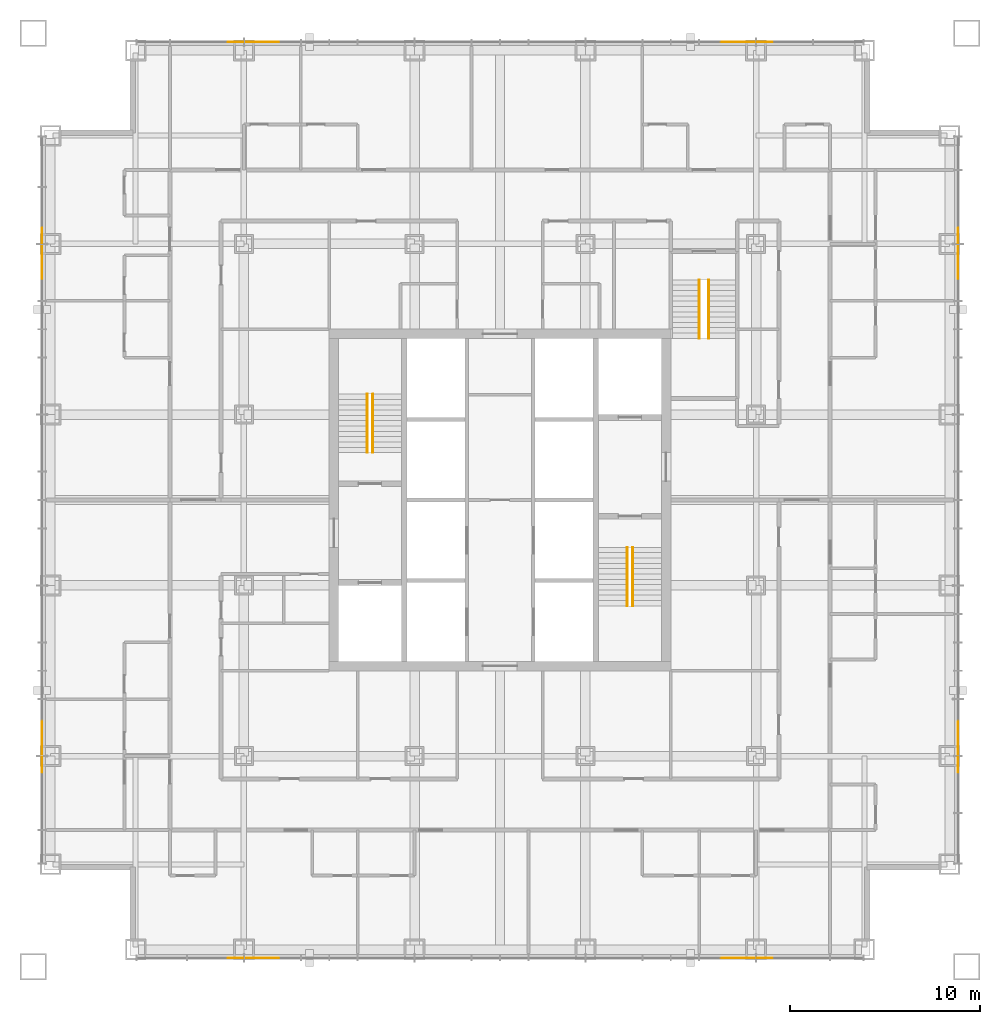
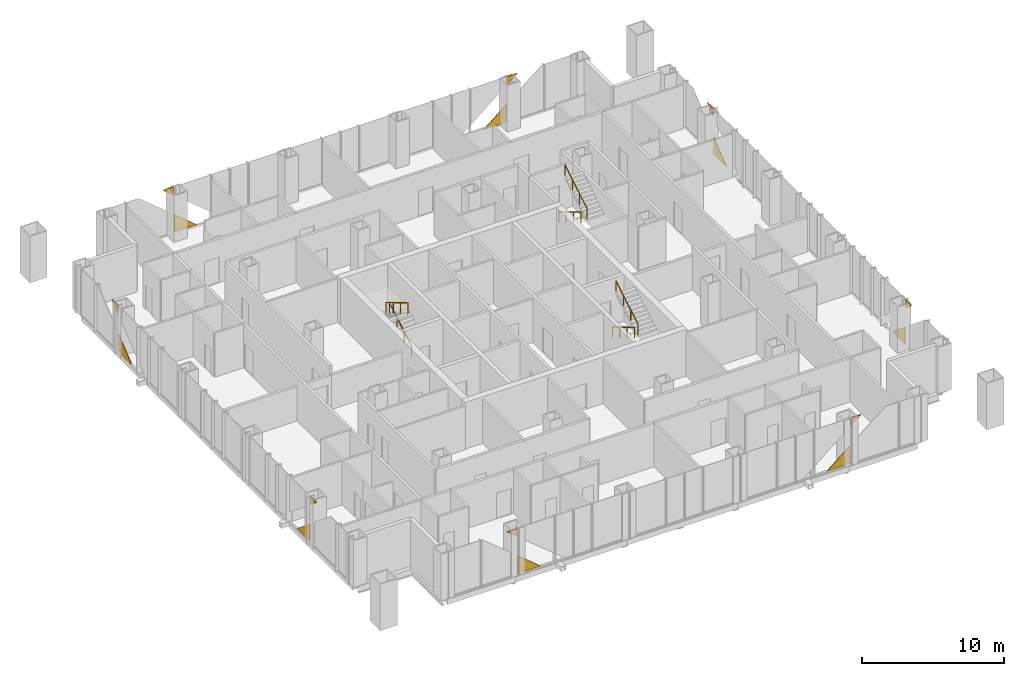
# One storey, part 14 of 14: 16 coverings, 6 railings.
"""IFC4 building model written with IfcOpenShell, lengths in metres."""

import ifcopenshell
import ifcopenshell.guid

model = None  # the IFC model being written
_history = None  # IfcOwnerHistory: only IFC2X3 demands one
_inside = {}  # id of a spatial element -> (the spatial element, [elements in it])
_under = {}  # id of a project, library or spatial element -> (it, [spatial elements below it])
_declared = {}  # id of a project -> (the project, [libraries it declares])
_typed = {}  # id of a type object -> (the type object, [elements of that type])
_made_of = {}  # id of a material, layer set ... -> (it, [elements and type objects made of it])


def new_model(schema):
    """Start an empty IFC model of exactly this schema.

    Asked for "IFC4X3", IfcOpenShell would pick the latest addendum, in which some entities
    have other attributes; the version numbers below select the first issue.
    IFC2X3 requires an IfcOwnerHistory on every rooted entity: one is made here for all.
    """
    global model, _history
    if schema == "IFC4X3":
        model = ifcopenshell.file(schema_version=(4, 3, 0, 0))
    else:
        model = ifcopenshell.file(schema=schema)
    _inside.clear()
    _under.clear()
    _declared.clear()
    _typed.clear()
    _made_of.clear()
    _history = None
    if model.schema == "IFC2X3":
        org = make("IfcOrganization", Name="unknown")
        user = make(
            "IfcPersonAndOrganization",
            ThePerson=make("IfcPerson", FamilyName="unknown"),
            TheOrganization=org,
        )
        app = make(
            "IfcApplication",
            ApplicationDeveloper=org,
            Version="unknown",
            ApplicationFullName="unknown",
            ApplicationIdentifier="unknown",
        )
        _history = make(
            "IfcOwnerHistory",
            OwningUser=user,
            OwningApplication=app,
            ChangeAction="ADDED",
            CreationDate=0,
        )
    return model


def make(cls, **values):
    """One entity of the class cls with the attributes given. An attribute that is None is left unset."""
    return model.create_entity(
        cls, **{name: value for name, value in values.items() if value is not None}
    )


def rooted(cls, **values):
    """An entity with a GlobalId (a new one), such as an element, a storey or a relation."""
    return make(cls, GlobalId=ifcopenshell.guid.new(), OwnerHistory=_history, **values)


def si_unit(unit_type, name, prefix=None):
    """IfcSIUnit, for example si_unit("LENGTHUNIT", "METRE", prefix="MILLI")."""
    return make("IfcSIUnit", UnitType=unit_type, Prefix=prefix, Name=name)


def assignment(units):
    """IfcUnitAssignment: the units of a project."""
    return None if units is None else make("IfcUnitAssignment", Units=units)


def point(xyz):
    """IfcCartesianPoint."""
    return None if xyz is None else make("IfcCartesianPoint", Coordinates=xyz)


def direction(xyz):
    """IfcDirection."""
    return None if xyz is None else make("IfcDirection", DirectionRatios=xyz)


def frame(location, z_axis=None, x_axis=None):
    """IfcAxis2Placement3D, a coordinate frame: its origin and axes. An axis left out is left unset."""
    return make(
        "IfcAxis2Placement3D",
        Location=point(location),
        Axis=direction(z_axis),
        RefDirection=direction(x_axis),
    )


def frame_2d(location, x_axis=None):
    """IfcAxis2Placement2D, a coordinate frame in the plane: its origin and x axis."""
    return make(
        "IfcAxis2Placement2D", Location=point(location), RefDirection=direction(x_axis)
    )


def origin():
    """The frame at (0, 0, 0) with its axes left unset."""
    return frame((0.0, 0.0, 0.0))


def origin_2d():
    """The frame at (0, 0) in the plane with its x axis left unset."""
    return frame_2d((0.0, 0.0))


def place(relative_to, where):
    """IfcLocalPlacement: puts the frame where relative to a parent placement (None: the world)."""
    return make(
        "IfcLocalPlacement", PlacementRelTo=relative_to, RelativePlacement=where
    )


def context(
    kind, dimensions, precision=None, world=None, true_north=None, identifier=None
):
    """IfcGeometricRepresentationContext, for example the 3D "Model" context."""
    return make(
        "IfcGeometricRepresentationContext",
        ContextIdentifier=identifier,
        ContextType=kind,
        CoordinateSpaceDimension=dimensions,
        Precision=precision,
        WorldCoordinateSystem=world,
        TrueNorth=true_north,
    )


def subcontext(parent, identifier, kind, view, scale=None):
    """IfcGeometricRepresentationSubContext, for example "Body" below "Model"."""
    return make(
        "IfcGeometricRepresentationSubContext",
        ContextIdentifier=identifier,
        ContextType=kind,
        ParentContext=parent,
        TargetScale=scale,
        TargetView=view,
    )


def project(units=None, contexts=None):
    """IfcProject with its units and contexts."""
    return rooted(
        "IfcProject",
        Name="project",
        RepresentationContexts=contexts,
        UnitsInContext=assignment(units),
    )


def spatial(cls, under=None, at=None, **own):
    """A site, building, storey or space (cls), placed at a placement, below another one or the project."""
    s = rooted(cls, ObjectPlacement=at, **own)
    if under is not None:
        _under.setdefault(under.id(), (under, []))[1].append(s)
    return s


def polyline(points):
    """IfcPolyline through the points."""
    return make("IfcPolyline", Points=[point(p) for p in points])


def profile(cls, at=None, kind="AREA", **sizes):
    """A parametric profile (cls). Its sizes go by their IFC names, for example OverallWidth=200.0."""
    return make(cls, ProfileType=kind, Position=at, **sizes)


def circle(**sizes):
    """IfcCircleProfileDef."""
    return profile("IfcCircleProfileDef", **sizes)


def outline(outer, holes=None, kind="AREA"):
    """IfcArbitraryClosedProfileDef: a profile drawn as a closed curve; with holes, ...WithVoids."""
    if holes is None:
        return make("IfcArbitraryClosedProfileDef", ProfileType=kind, OuterCurve=outer)
    return make(
        "IfcArbitraryProfileDefWithVoids",
        ProfileType=kind,
        OuterCurve=outer,
        InnerCurves=holes,
    )


def extrude(swept, where, along, depth):
    """IfcExtrudedAreaSolid: the profile swept, set in the frame where, extruded along a direction by depth."""
    return make(
        "IfcExtrudedAreaSolid",
        SweptArea=swept,
        Position=where,
        ExtrudedDirection=direction(along),
        Depth=depth,
    )


def shape(context_of_items, identifier, shape_type, items):
    """IfcShapeRepresentation: the items that make up one representation, for example the "Body"."""
    return make(
        "IfcShapeRepresentation",
        ContextOfItems=context_of_items,
        RepresentationIdentifier=identifier,
        RepresentationType=shape_type,
        Items=items,
    )


def material(Name=None, Category=None):
    """IfcMaterial."""
    return make("IfcMaterial", Name=Name, Category=Category)


def layer(
    of_material, thickness, ventilated=None, Name=None, Category=None, Priority=None
):
    """IfcMaterialLayer: one layer of a wall or slab, of a material (None: an air gap)."""
    return make(
        "IfcMaterialLayer",
        Material=of_material,
        LayerThickness=thickness,
        IsVentilated=ventilated,
        Name=Name,
        Category=Category,
        Priority=Priority,
    )


def layer_set(layers, Name=None):
    """IfcMaterialLayerSet."""
    return make("IfcMaterialLayerSet", MaterialLayers=layers, LayerSetName=Name)


def made_of(thing, what):
    """Note that an element or type object is made of a material, layer set ...; save() writes the relation."""
    if what is not None:
        _made_of.setdefault(what.id(), (what, []))[1].append(thing)
    return thing


def type_object(cls, material=None, **own):
    """A type object (cls), such as IfcWallType, which elements share."""
    return made_of(rooted(cls, **own), material)


def element(
    cls,
    number,
    at=None,
    inside=None,
    cuts=None,
    type_object=None,
    material=None,
    context=None,
    identifier="Body",
    shape_type=None,
    held_by="IfcProductDefinitionShape",
    body=None,
    shapes=None,
    **own,
):
    """One element of the class cls, such as IfcWall. Its Tag is "e" and its number.

    at: its placement. inside: the storey or other place that contains it. cuts: it is an
    opening in that element (IfcRelVoidsElement). A single representation is given by context,
    identifier, shape_type and body (its items); several are given by shapes. held_by: the class
    of the entity that holds the representations. save() writes the other relations.
    """
    e = rooted(cls, Tag="e%d" % number, ObjectPlacement=at, **own)
    if body is not None:
        shapes = [shape(context, identifier, shape_type, body)]
    if shapes is not None:
        e.Representation = make(held_by, Representations=shapes)
    if inside is not None:
        _inside.setdefault(inside.id(), (inside, []))[1].append(e)
    if cuts is not None:
        rooted(
            "IfcRelVoidsElement", RelatingBuildingElement=cuts, RelatedOpeningElement=e
        )
    if type_object is not None:
        _typed.setdefault(type_object.id(), (type_object, []))[1].append(e)
    return made_of(e, material)


def aggregate(whole, parts):
    """IfcRelAggregates: a whole, such as a stair, and the parts it consists of."""
    return rooted("IfcRelAggregates", RelatingObject=whole, RelatedObjects=parts)


def save(model, path):
    """Write the relations noted so far, then the file.

    IfcRelAggregates (storeys below a building ...), IfcRelContainedInSpatialStructure (elements
    in a storey), IfcRelDefinesByType, IfcRelAssociatesMaterial and IfcRelDeclares: one each for
    every whole, place, type object, material and project.
    """
    for whole, parts in _under.values():
        aggregate(whole, parts)
    for where, things in _inside.values():
        rooted(
            "IfcRelContainedInSpatialStructure",
            RelatedElements=things,
            RelatingStructure=where,
        )
    for kind, things in _typed.values():
        rooted("IfcRelDefinesByType", RelatedObjects=things, RelatingType=kind)
    for what, things in _made_of.values():
        rooted("IfcRelAssociatesMaterial", RelatedObjects=things, RelatingMaterial=what)
    for by, libraries in _declared.values():
        rooted("IfcRelDeclares", RelatingContext=by, RelatedDefinitions=libraries)
    model.write(path)


model = new_model("IFC4")

# Units and contexts
model_context = context("Model", 3, precision=1e-05, world=origin(), true_north=direction((0.0, 1.0)))
body_context = subcontext(model_context, "Body", "Model", "MODEL_VIEW")
ifc_project = project(units=[si_unit("LENGTHUNIT", "METRE"), si_unit("AREAUNIT", "SQUARE_METRE"), si_unit("VOLUMEUNIT", "CUBIC_METRE"), si_unit("PLANEANGLEUNIT", "RADIAN"), si_unit("MASSUNIT", "GRAM", prefix="KILO")], contexts=[model_context])

# Site, building, storey
site_placement = place(None, origin())
site = spatial("IfcSite", under=ifc_project, at=site_placement, CompositionType="ELEMENT")
building_placement = place(site_placement, origin())
building = spatial("IfcBuilding", under=site, at=building_placement, Name="Malebo Sky Hospital", CompositionType="ELEMENT")
storey_placement = place(building_placement, frame((0.0, 0.0, 128.0)))
storey = spatial("IfcBuildingStorey", under=building, at=storey_placement, Name="L30", CompositionType="ELEMENT", Elevation=128.0)

# Coverings
ifc_material_1 = material(Name="Anodised aluminium, natural silver insulated infill panel", Category="aluminium")
ifc_layer = layer(ifc_material_1, 0.0400390625)
ifc_layer_set = layer_set([ifc_layer], Name="BRACE INFILL PANEL 40")
covering_type = type_object("IfcCoveringType", Name="BRACE INFILL PANEL 40", PredefinedType="CLADDING", material=ifc_layer_set)
covering_1_placement = place(storey_placement, frame((46.039794921875, 86.135009765625, 3.29296875), z_axis=(0.0, 0.0, 1.0), x_axis=(1.0, 0.0, 0.0)))
element("IfcCovering", 1, at=covering_1_placement, inside=storey, type_object=covering_type, Name="Brace infill panel 2.1", PredefinedType="CLADDING", context=body_context, shape_type="SweptSolid", body=[
    extrude(outline(polyline([(0.4228515625, 0.0), (0.4228515625, 0.697021484375), (-0.4228515625, 0.697021484375), (0.4228515625, 0.0)])), frame((0.0, 0.02001953125, 0.0), z_axis=(0.0, -1.0, 0.0), x_axis=(1.0, 0.0, 0.0)), (0.0, 0.0, 1.0), 0.0400390625),
])
covering_2_placement = place(storey_placement, frame((47.45361328125, 86.135009765625, 0.10009765625), z_axis=(0.0, 0.0, 1.0), x_axis=(1.0, 0.0, 0.0)))
element("IfcCovering", 2, at=covering_2_placement, inside=storey, type_object=covering_type, Name="Brace infill panel 3.1", PredefinedType="CLADDING", context=body_context, shape_type="SweptSolid", body=[
    extrude(outline(polyline([(-0.916015625, 0.0), (0.916015625, 0.0), (-0.916015625, 1.510009765625), (-0.916015625, 0.0)])), frame((0.0, 0.02001953125, 0.0), z_axis=(0.0, -1.0, 0.0), x_axis=(1.0, 0.0, 0.0)), (0.0, 0.0, 1.0), 0.0400390625),
])
covering_3_placement = place(storey_placement, frame((72.54638671875, 86.135009765625, 0.10009765625), z_axis=(0.0, 0.0, 1.0), x_axis=(1.0, 0.0, 0.0)))
element("IfcCovering", 3, at=covering_3_placement, inside=storey, type_object=covering_type, Name="Brace infill panel 14.1", PredefinedType="CLADDING", context=body_context, shape_type="SweptSolid", body=[
    extrude(outline(polyline([(-0.916015625, 0.0), (0.916015625, 0.0), (0.916015625, 1.510009765625), (-0.916015625, 0.0)])), frame((0.0, 0.02001953125, 0.0), z_axis=(0.0, -1.0, 0.0), x_axis=(1.0, 0.0, 0.0)), (0.0, 0.0, 1.0), 0.0400390625),
])
covering_4_placement = place(storey_placement, frame((73.960205078125, 86.135009765625, 3.29296875), z_axis=(0.0, 0.0, 1.0), x_axis=(1.0, 0.0, 0.0)))
element("IfcCovering", 4, at=covering_4_placement, inside=storey, type_object=covering_type, Name="Brace infill panel 15.1", PredefinedType="CLADDING", context=body_context, shape_type="SweptSolid", body=[
    extrude(outline(polyline([(-0.4228515625, 0.0), (0.4228515625, 0.697021484375), (-0.4228515625, 0.697021484375), (-0.4228515625, 0.0)])), frame((0.0, 0.02001953125, 0.0), z_axis=(0.0, -1.0, 0.0), x_axis=(1.0, 0.0, 0.0)), (0.0, 0.0, 1.0), 0.0400390625),
])
covering_5_placement = place(storey_placement, frame((35.864990234375, 48.039794921875, 3.29296875), z_axis=(0.0, 0.0, 1.0), x_axis=(0.0, 1.0, 0.0)))
element("IfcCovering", 5, at=covering_5_placement, inside=storey, type_object=covering_type, Name="Brace infill panel 2.1", PredefinedType="CLADDING", context=body_context, shape_type="SweptSolid", body=[
    extrude(outline(polyline([(0.4228515625, 0.0), (0.4228515625, 0.697021484375), (-0.4228515625, 0.697021484375), (0.4228515625, 0.0)])), frame((0.0, 0.02001953125, 0.0), z_axis=(0.0, -1.0, 0.0), x_axis=(1.0, 0.0, 0.0)), (0.0, 0.0, 1.0), 0.0400390625),
])
covering_6_placement = place(storey_placement, frame((35.864990234375, 49.45361328125, 0.10009765625), z_axis=(0.0, 0.0, 1.0), x_axis=(0.0, 1.0, 0.0)))
element("IfcCovering", 6, at=covering_6_placement, inside=storey, type_object=covering_type, Name="Brace infill panel 3.1", PredefinedType="CLADDING", context=body_context, shape_type="SweptSolid", body=[
    extrude(outline(polyline([(-0.916015625, 0.0), (0.916015625, 0.0), (-0.916015625, 1.510009765625), (-0.916015625, 0.0)])), frame((0.0, 0.02001953125, 0.0), z_axis=(0.0, -1.0, 0.0), x_axis=(1.0, 0.0, 0.0)), (0.0, 0.0, 1.0), 0.0400390625),
])
covering_7_placement = place(storey_placement, frame((35.864990234375, 74.54638671875, 0.10009765625), z_axis=(0.0, 0.0, 1.0), x_axis=(0.0, 1.0, 0.0)))
element("IfcCovering", 7, at=covering_7_placement, inside=storey, type_object=covering_type, Name="Brace infill panel 14.1", PredefinedType="CLADDING", context=body_context, shape_type="SweptSolid", body=[
    extrude(outline(polyline([(-0.916015625, 0.0), (0.916015625, 0.0), (0.916015625, 1.510009765625), (-0.916015625, 0.0)])), frame((0.0, 0.02001953125, 0.0), z_axis=(0.0, -1.0, 0.0), x_axis=(1.0, 0.0, 0.0)), (0.0, 0.0, 1.0), 0.0400390625),
])
covering_8_placement = place(storey_placement, frame((35.864990234375, 75.960205078125, 3.29296875), z_axis=(0.0, 0.0, 1.0), x_axis=(0.0, 1.0, 0.0)))
element("IfcCovering", 8, at=covering_8_placement, inside=storey, type_object=covering_type, Name="Brace infill panel 15.1", PredefinedType="CLADDING", context=body_context, shape_type="SweptSolid", body=[
    extrude(outline(polyline([(-0.4228515625, 0.0), (0.4228515625, 0.697021484375), (-0.4228515625, 0.697021484375), (-0.4228515625, 0.0)])), frame((0.0, 0.02001953125, 0.0), z_axis=(0.0, -1.0, 0.0), x_axis=(1.0, 0.0, 0.0)), (0.0, 0.0, 1.0), 0.0400390625),
])
covering_9_placement = place(storey_placement, frame((73.960205078125, 37.864990234375, 3.29296875), z_axis=(0.0, 0.0, 1.0), x_axis=(-1.0, 0.0, 0.0)))
element("IfcCovering", 9, at=covering_9_placement, inside=storey, type_object=covering_type, Name="Brace infill panel 2.1", PredefinedType="CLADDING", context=body_context, shape_type="SweptSolid", body=[
    extrude(outline(polyline([(0.4228515625, 0.0), (0.4228515625, 0.697021484375), (-0.4228515625, 0.697021484375), (0.4228515625, 0.0)])), frame((0.0, 0.02001953125, 0.0), z_axis=(0.0, -1.0, 0.0), x_axis=(1.0, 0.0, 0.0)), (0.0, 0.0, 1.0), 0.0400390625),
])
covering_10_placement = place(storey_placement, frame((72.54638671875, 37.864990234375, 0.10009765625), z_axis=(0.0, 0.0, 1.0), x_axis=(-1.0, 0.0, 0.0)))
element("IfcCovering", 10, at=covering_10_placement, inside=storey, type_object=covering_type, Name="Brace infill panel 3.1", PredefinedType="CLADDING", context=body_context, shape_type="SweptSolid", body=[
    extrude(outline(polyline([(-0.916015625, 0.0), (0.916015625, 0.0), (-0.916015625, 1.510009765625), (-0.916015625, 0.0)])), frame((0.0, 0.02001953125, 0.0), z_axis=(0.0, -1.0, 0.0), x_axis=(1.0, 0.0, 0.0)), (0.0, 0.0, 1.0), 0.0400390625),
])
covering_11_placement = place(storey_placement, frame((47.45361328125, 37.864990234375, 0.10009765625), z_axis=(0.0, 0.0, 1.0), x_axis=(-1.0, 0.0, 0.0)))
element("IfcCovering", 11, at=covering_11_placement, inside=storey, type_object=covering_type, Name="Brace infill panel 14.1", PredefinedType="CLADDING", context=body_context, shape_type="SweptSolid", body=[
    extrude(outline(polyline([(-0.916015625, 0.0), (0.916015625, 0.0), (0.916015625, 1.510009765625), (-0.916015625, 0.0)])), frame((0.0, 0.02001953125, 0.0), z_axis=(0.0, -1.0, 0.0), x_axis=(1.0, 0.0, 0.0)), (0.0, 0.0, 1.0), 0.0400390625),
])
covering_12_placement = place(storey_placement, frame((46.039794921875, 37.864990234375, 3.29296875), z_axis=(0.0, 0.0, 1.0), x_axis=(-1.0, 0.0, 0.0)))
element("IfcCovering", 12, at=covering_12_placement, inside=storey, type_object=covering_type, Name="Brace infill panel 15.1", PredefinedType="CLADDING", context=body_context, shape_type="SweptSolid", body=[
    extrude(outline(polyline([(-0.4228515625, 0.0), (0.4228515625, 0.697021484375), (-0.4228515625, 0.697021484375), (-0.4228515625, 0.0)])), frame((0.0, 0.02001953125, 0.0), z_axis=(0.0, -1.0, 0.0), x_axis=(1.0, 0.0, 0.0)), (0.0, 0.0, 1.0), 0.0400390625),
])
covering_13_placement = place(storey_placement, frame((84.135009765625, 75.960205078125, 3.29296875), z_axis=(0.0, 0.0, 1.0), x_axis=(0.0, -1.0, 0.0)))
element("IfcCovering", 13, at=covering_13_placement, inside=storey, type_object=covering_type, Name="Brace infill panel 2.1", PredefinedType="CLADDING", context=body_context, shape_type="SweptSolid", body=[
    extrude(outline(polyline([(0.4228515625, 0.0), (0.4228515625, 0.697021484375), (-0.4228515625, 0.697021484375), (0.4228515625, 0.0)])), frame((0.0, 0.02001953125, 0.0), z_axis=(0.0, -1.0, 0.0), x_axis=(1.0, 0.0, 0.0)), (0.0, 0.0, 1.0), 0.0400390625),
])
covering_14_placement = place(storey_placement, frame((84.135009765625, 74.54638671875, 0.10009765625), z_axis=(0.0, 0.0, 1.0), x_axis=(0.0, -1.0, 0.0)))
element("IfcCovering", 14, at=covering_14_placement, inside=storey, type_object=covering_type, Name="Brace infill panel 3.1", PredefinedType="CLADDING", context=body_context, shape_type="SweptSolid", body=[
    extrude(outline(polyline([(-0.916015625, 0.0), (0.916015625, 0.0), (-0.916015625, 1.510009765625), (-0.916015625, 0.0)])), frame((0.0, 0.02001953125, 0.0), z_axis=(0.0, -1.0, 0.0), x_axis=(1.0, 0.0, 0.0)), (0.0, 0.0, 1.0), 0.0400390625),
])
covering_15_placement = place(storey_placement, frame((84.135009765625, 49.45361328125, 0.10009765625), z_axis=(0.0, 0.0, 1.0), x_axis=(0.0, -1.0, 0.0)))
element("IfcCovering", 15, at=covering_15_placement, inside=storey, type_object=covering_type, Name="Brace infill panel 15.1", PredefinedType="CLADDING", context=body_context, shape_type="SweptSolid", body=[
    extrude(outline(polyline([(-0.916015625, 0.0), (0.916015625, 0.0), (0.916015625, 1.510009765625), (-0.916015625, 0.0)])), frame((0.0, 0.02001953125, 0.0), z_axis=(0.0, -1.0, 0.0), x_axis=(1.0, 0.0, 0.0)), (0.0, 0.0, 1.0), 0.0400390625),
])
covering_16_placement = place(storey_placement, frame((84.135009765625, 48.039794921875, 3.29296875), z_axis=(0.0, 0.0, 1.0), x_axis=(0.0, -1.0, 0.0)))
element("IfcCovering", 16, at=covering_16_placement, inside=storey, type_object=covering_type, Name="Brace infill panel 16.1", PredefinedType="CLADDING", context=body_context, shape_type="SweptSolid", body=[
    extrude(outline(polyline([(-0.4228515625, 0.0), (0.4228515625, 0.697021484375), (-0.4228515625, 0.697021484375), (-0.4228515625, 0.0)])), frame((0.0, 0.02001953125, 0.0), z_axis=(0.0, -1.0, 0.0), x_axis=(1.0, 0.0, 0.0)), (0.0, 0.0, 1.0), 0.0400390625),
])

# Railings
ifc_material_2 = material(Name="Stainless steel tube", Category="steel")
railing_type = type_object("IfcRailingType", Name="STAIR HANDRAIL 900", PredefinedType="HANDRAIL", material=ifc_material_2)
railing_1_placement = place(storey_placement, frame((53.300048828125, 64.5, 0.166748046875)))
element("IfcRailing", 17, at=railing_1_placement, inside=storey, type_object=railing_type, Name="Stair handrail S1 flight 1", PredefinedType="HANDRAIL", context=body_context, shape_type="SweptSolid", body=[
    extrude(circle(Radius=0.02392578125, at=origin_2d()), frame((0.0, 0.0, 0.8759765625), z_axis=(0.0, 0.859308565015, 0.511457515432), x_axis=(-1.0, 0.0, 0.0)), (0.0, 0.0, 1.0), 3.58447265625),
    extrude(circle(Radius=0.02099609375, at=origin_2d()), origin(), (0.0, 0.0, 1.0), 0.851806640625),
    extrude(circle(Radius=0.02099609375, at=origin_2d()), frame((0.0, 1.026611328125, 0.611083984375)), (0.0, 0.0, 1.0), 0.851806640625),
    extrude(circle(Radius=0.02099609375, at=origin_2d()), frame((0.0, 2.053466796875, 1.22216796875)), (0.0, 0.0, 1.0), 0.851806640625),
    extrude(circle(Radius=0.02099609375, at=origin_2d()), frame((0.0, 3.080078125, 1.833251953125)), (0.0, 0.0, 1.0), 0.851806640625),
])
for number, where, name in (
    (18, (53.0, 67.580078125, 2.166748046875), "Stair handrail S1 flight 2"),
    (19, (66.699951171875, 59.5, 0.166748046875), "Stair handrail S2 flight 1"),
):
    element("IfcRailing", number, at=place(storey_placement, frame(where)), inside=storey, type_object=railing_type, Name=name, PredefinedType="HANDRAIL", context=body_context, shape_type="SweptSolid", body=[
        extrude(circle(Radius=0.02392578125, at=origin_2d()), frame((0.0, 0.0, 0.8759765625), z_axis=(0.0, -0.859308565015, 0.511457515432), x_axis=(1.0, 0.0, 0.0)), (0.0, 0.0, 1.0), 3.58447265625),
        extrude(circle(Radius=0.02099609375, at=origin_2d()), origin(), (0.0, 0.0, 1.0), 0.851806640625),
        extrude(circle(Radius=0.02099609375, at=origin_2d()), frame((0.0, -1.026611328125, 0.611083984375)), (0.0, 0.0, 1.0), 0.851806640625),
        extrude(circle(Radius=0.02099609375, at=origin_2d()), frame((0.0, -2.053466796875, 1.22216796875)), (0.0, 0.0, 1.0), 0.851806640625),
        extrude(circle(Radius=0.02099609375, at=origin_2d()), frame((0.0, -3.080078125, 1.833251953125)), (0.0, 0.0, 1.0), 0.851806640625),
    ])
railing_2_placement = place(storey_placement, frame((67.0, 56.419921875, 2.166748046875)))
element("IfcRailing", 20, at=railing_2_placement, inside=storey, type_object=railing_type, Name="Stair handrail S2 flight 2", PredefinedType="HANDRAIL", context=body_context, shape_type="SweptSolid", body=[
    extrude(circle(Radius=0.02392578125, at=origin_2d()), frame((0.0, 0.0, 0.8759765625), z_axis=(0.0, 0.859308565015, 0.511457515432), x_axis=(-1.0, 0.0, 0.0)), (0.0, 0.0, 1.0), 3.58447265625),
    extrude(circle(Radius=0.02099609375, at=origin_2d()), origin(), (0.0, 0.0, 1.0), 0.851806640625),
    extrude(circle(Radius=0.02099609375, at=origin_2d()), frame((0.0, 1.026611328125, 0.611083984375)), (0.0, 0.0, 1.0), 0.851806640625),
    extrude(circle(Radius=0.02099609375, at=origin_2d()), frame((0.0, 2.053466796875, 1.22216796875)), (0.0, 0.0, 1.0), 0.851806640625),
    extrude(circle(Radius=0.02099609375, at=origin_2d()), frame((0.0, 3.080078125, 1.833251953125)), (0.0, 0.0, 1.0), 0.851806640625),
])
railing_3_placement = place(storey_placement, frame((70.5, 73.60009765625, 0.166748046875)))
element("IfcRailing", 21, at=railing_3_placement, inside=storey, type_object=railing_type, Name="Stair handrail S3 flight 1", PredefinedType="HANDRAIL", context=body_context, shape_type="SweptSolid", body=[
    extrude(circle(Radius=0.02392578125, at=origin_2d()), frame((0.0, 0.0, 0.8759765625), z_axis=(0.0, -0.859308565015, 0.511457515432), x_axis=(1.0, 0.0, 0.0)), (0.0, 0.0, 1.0), 3.58447265625),
    extrude(circle(Radius=0.02099609375, at=origin_2d()), origin(), (0.0, 0.0, 1.0), 0.851806640625),
    extrude(circle(Radius=0.02099609375, at=origin_2d()), frame((0.0, -1.026611328125, 0.611083984375)), (0.0, 0.0, 1.0), 0.851806640625),
    extrude(circle(Radius=0.02099609375, at=origin_2d()), frame((0.0, -2.053466796875, 1.22216796875)), (0.0, 0.0, 1.0), 0.851806640625),
    extrude(circle(Radius=0.02099609375, at=origin_2d()), frame((0.0, -3.080078125, 1.833251953125)), (0.0, 0.0, 1.0), 0.851806640625),
])
railing_4_placement = place(storey_placement, frame((71.0, 70.52001953125, 2.166748046875)))
element("IfcRailing", 22, at=railing_4_placement, inside=storey, type_object=railing_type, Name="Stair handrail S3 flight 2", PredefinedType="HANDRAIL", context=body_context, shape_type="SweptSolid", body=[
    extrude(circle(Radius=0.02392578125, at=origin_2d()), frame((0.0, 0.0, 0.8759765625), z_axis=(0.0, 0.859308565015, 0.511457515432), x_axis=(-1.0, 0.0, 0.0)), (0.0, 0.0, 1.0), 3.58447265625),
    extrude(circle(Radius=0.02099609375, at=origin_2d()), origin(), (0.0, 0.0, 1.0), 0.851806640625),
    extrude(circle(Radius=0.02099609375, at=origin_2d()), frame((0.0, 1.026611328125, 0.611083984375)), (0.0, 0.0, 1.0), 0.851806640625),
    extrude(circle(Radius=0.02099609375, at=origin_2d()), frame((0.0, 2.053466796875, 1.22216796875)), (0.0, 0.0, 1.0), 0.851806640625),
    extrude(circle(Radius=0.02099609375, at=origin_2d()), frame((0.0, 3.080078125, 1.833251953125)), (0.0, 0.0, 1.0), 0.851806640625),
])

save(model, "model.ifc")
